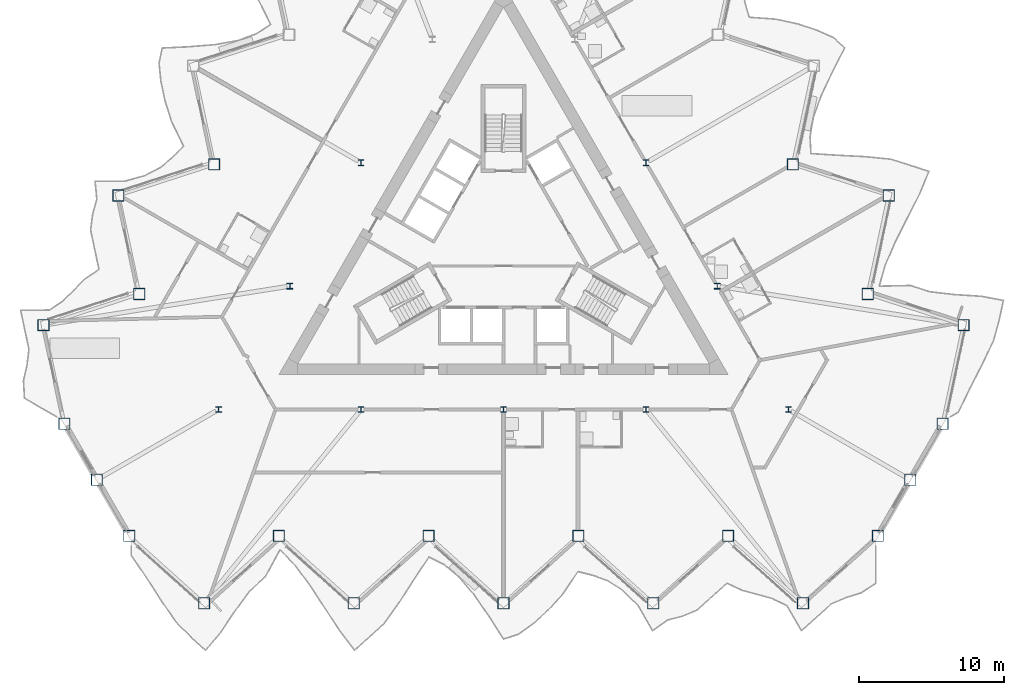
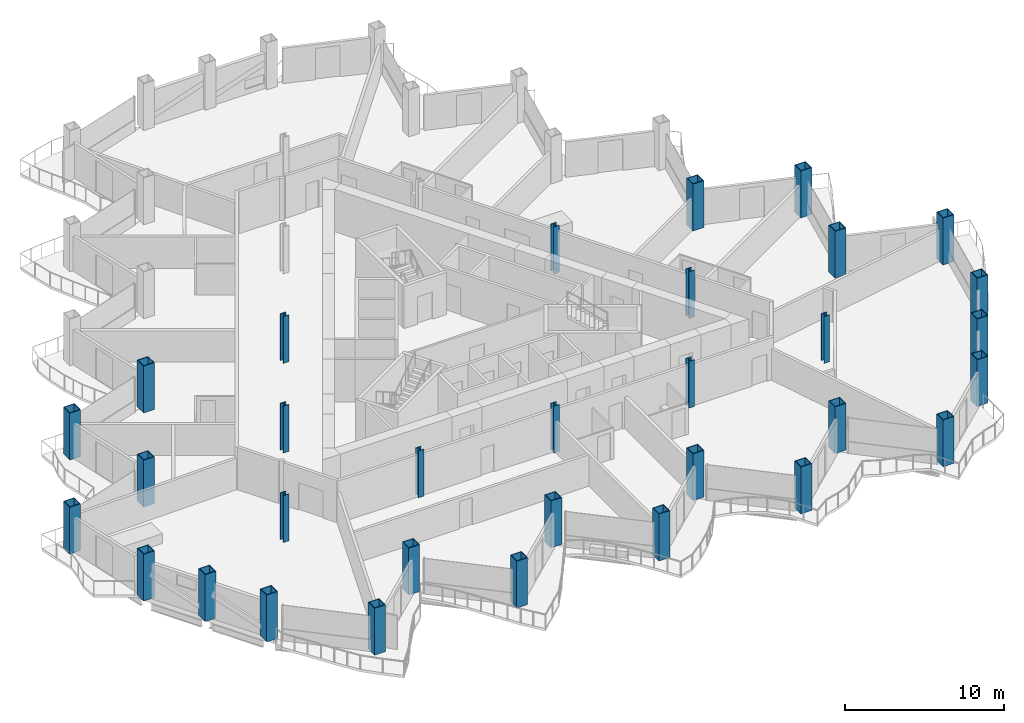
# One storey, part 1 of 22: 32 columns.
"""IFC4 building model written with IfcOpenShell, lengths in metres."""

from ifc_helpers import new_model, si_unit, direction, frame, origin, origin_2d, place, context, subcontext, project, spatial, hollow_rectangle, i_section, extrude, material, material_profile, profile_set, type_object, element, save


model = new_model("IFC4")

# Units and contexts
model_context = context("Model", 3, precision=1e-05, world=origin(), true_north=direction((0.0, 1.0)))
body_context = subcontext(model_context, "Body", "Model", "MODEL_VIEW")
ifc_project = project(units=[si_unit("LENGTHUNIT", "METRE"), si_unit("AREAUNIT", "SQUARE_METRE"), si_unit("VOLUMEUNIT", "CUBIC_METRE"), si_unit("PLANEANGLEUNIT", "RADIAN"), si_unit("MASSUNIT", "GRAM", prefix="KILO")], contexts=[model_context])

# Site, building, storey
site_placement = place(None, origin())
site = spatial("IfcSite", under=ifc_project, at=site_placement, CompositionType="ELEMENT")
building_placement = place(site_placement, origin())
building = spatial("IfcBuilding", under=site, at=building_placement, Name="Cormorant Prow Tower", CompositionType="ELEMENT")
storey_placement = place(building_placement, frame((0.0, 0.0, 190.800048828125)))
storey = spatial("IfcBuildingStorey", under=building, at=storey_placement, Name="L41", CompositionType="ELEMENT", Elevation=190.800048828125)

# Columns
ifc_material_1 = material(Name="Structural steel ASTM A572 Gr 50", Category="steel")
ifc_material_profile_1 = material_profile(ifc_material_1, hollow_rectangle(XDim=0.800048828125, YDim=0.800048828125, WallThickness=0.050048828125, at=origin_2d()), Name="Box 800x800x50")
ifc_profile_set_1 = profile_set([ifc_material_profile_1], Name="Structural steel ASTM A572 Gr 50")
column_type_1 = type_object("IfcColumnType", Name="Perimeter box column 800x800x50", PredefinedType="COLUMN", material=ifc_profile_set_1)
for number, where, z_axis, x_axis, name in (
    (1, (-25.823486328125, -20.0712890625, 0.0), (0.0, 0.0, 1.0), (1.0, 0.0, 0.0), "Perimeter column C4 at S00 L41"),
    (2, (-20.658935546875, -24.7216796875, 0.0), (0.0, 0.0, 1.0), (1.0, 0.0, 0.0), "Perimeter column C4 at S01 L41"),
    (3, (-15.494140625, -20.0712890625, 0.0), (0.0, 0.0, 1.0), (1.0, 0.0, 0.0), "Perimeter column C4 at S02 L41"),
    (4, (-10.329345703125, -24.7216796875, 0.0), (0.0, 0.0, 1.0), (1.0, 0.0, 0.0), "Perimeter column C4 at S03 L41"),
    (5, (-5.164794921875, -20.0712890625, 0.0), (0.0, 0.0, 1.0), (1.0, 0.0, 0.0), "Perimeter column C4 at S04 L41"),
    (6, (0.0, -24.7216796875, 0.0), (0.0, 0.0, 1.0), (1.0, 0.0, 0.0), "Perimeter column C4 at S05 L41"),
    (7, (5.164794921875, -20.0712890625, 0.0), (0.0, 0.0, 1.0), (1.0, 0.0, 0.0), "Perimeter column C4 at S06 L41"),
    (8, (10.329345703125, -24.7216796875, 0.0), (0.0, 0.0, 1.0), (1.0, 0.0, 0.0), "Perimeter column C4 at S07 L41"),
    (9, (15.494140625, -20.0712890625, 0.0), (0.0, 0.0, 1.0), (1.0, 0.0, 0.0), "Perimeter column C4 at S08 L41"),
    (10, (20.658935546875, -24.7216796875, 0.0), (0.0, 0.0, 1.0), (1.0, 0.0, 0.0), "Perimeter column C4 at S09 L41"),
    (11, (25.823486328125, -20.0712890625, 0.0), (0.0, 0.0, 1.0), (1.0, 0.0, 0.0), "Perimeter column C4 at ESE00 L41"),
    (12, (28.058837890625, -16.19970703125, 0.0), (0.0, 0.0, 1.0), (1.0, 0.0, 0.0), "Perimeter column C4 at ESE01 L41"),
    (13, (30.2939453125, -12.328369140625, 0.0), (0.0, 0.0, 1.0), (1.0, 0.0, 0.0), "Perimeter column C4 at ENE00 L41"),
    (14, (31.739013671875, -5.5302734375, 0.0), (0.0, 0.0, 1.0), (1.0, 0.0, 0.0), "Perimeter column C4 at ENE01 L41"),
    (15, (25.12939453125, -3.3828125, 0.0), (0.0, 0.0, 1.0), (1.0, 0.0, 0.0), "Perimeter column C4 at ENE02 L41"),
    (16, (26.57421875, 3.415283203125, 0.0), (0.0, 0.0, 1.0), (1.0, 0.0, 0.0), "Perimeter column C4 at ENE03 L41"),
    (17, (19.964599609375, 5.562744140625, 0.0), (0.0, 0.0, 1.0), (1.0, 0.0, 0.0), "Perimeter column C4 at ENE04 L41"),
    (18, (-19.964599609375, 5.562744140625, 0.0), (0.0, 0.0, 1.0), (1.0, 0.0, 0.0), "Perimeter column C4 at WNW06 L41"),
    (19, (-26.57421875, 3.415283203125, 0.0), (0.0, 0.0, 1.0), (1.0, 0.0, 0.0), "Perimeter column C4 at WNW07 L41"),
    (20, (-25.12939453125, -3.3828125, 0.0), (0.0, 0.0, 1.0), (1.0, 0.0, 0.0), "Perimeter column C4 at WNW08 L41"),
    (21, (-31.739013671875, -5.5302734375, 0.0), (0.0, 0.0, 1.0), (1.0, 0.0, 0.0), "Perimeter column C4 at WNW09 L41"),
    (22, (-30.2939453125, -12.328369140625, 0.0), (0.0, 0.0, 1.0), (1.0, 0.0, 0.0), "Perimeter column C4 at WSW00 L41"),
    (23, (-28.058837890625, -16.19970703125, 0.0), (0.0, 0.0, 1.0), (1.0, 0.0, 0.0), "Perimeter column C4 at WSW01 L41"),
):
    element("IfcColumn", number, at=place(storey_placement, frame(where, z_axis=z_axis, x_axis=x_axis)), inside=storey, type_object=column_type_1, Name=name, PredefinedType="COLUMN", context=body_context, shape_type="SweptSolid", body=[
        extrude(hollow_rectangle(XDim=0.800048828125, YDim=0.800048828125, WallThickness=0.050048828125, at=origin_2d()), origin(), (0.0, 0.0, 1.0), 3.599853515625),
    ])
ifc_material_2 = material(Name="Structural steel ASTM A992 Gr 50", Category="steel")
ifc_material_profile_2 = material_profile(ifc_material_2, i_section(OverallWidth=0.403564453125, OverallDepth=0.407470703125, WebThickness=0.027099609375, FlangeThickness=0.043701171875, at=origin_2d()), Name="W14x233")
ifc_profile_set_2 = profile_set([ifc_material_profile_2], Name="Structural steel ASTM A992 Gr 50")
column_type_2 = type_object("IfcColumnType", Name="Ring column W14x233", PredefinedType="COLUMN", material=ifc_profile_set_2)
for number, where, z_axis, x_axis, name in (
    (24, (-9.828369140625, 5.674560546875, 0.0), (0.0, 0.0, 1.0), (1.0, 0.0, 0.0), "Ring column 3 L41"),
    (25, (-14.74267578125, -2.837158203125, 0.0), (0.0, 0.0, 1.0), (1.0, 0.0, 0.0), "Ring column 4 L41"),
    (26, (-19.656982421875, -11.348876953125, 0.0), (0.0, 0.0, 1.0), (1.0, 0.0, 0.0), "Ring column 5 L41"),
    (27, (-9.828369140625, -11.348876953125, 0.0), (0.0, 0.0, 1.0), (1.0, 0.0, 0.0), "Ring column 6 L41"),
    (28, (0.0, -11.348876953125, 0.0), (0.0, 0.0, 1.0), (1.0, 0.0, 0.0), "Ring column 7 L41"),
    (29, (9.828369140625, -11.348876953125, 0.0), (0.0, 0.0, 1.0), (1.0, 0.0, 0.0), "Ring column 8 L41"),
    (30, (19.656982421875, -11.348876953125, 0.0), (0.0, 0.0, 1.0), (1.0, 0.0, 0.0), "Ring column 9 L41"),
    (31, (14.74267578125, -2.837158203125, 0.0), (0.0, 0.0, 1.0), (1.0, 0.0, 0.0), "Ring column 10 L41"),
    (32, (9.828369140625, 5.674560546875, 0.0), (0.0, 0.0, 1.0), (1.0, 0.0, 0.0), "Ring column 11 L41"),
):
    element("IfcColumn", number, at=place(storey_placement, frame(where, z_axis=z_axis, x_axis=x_axis)), inside=storey, type_object=column_type_2, Name=name, PredefinedType="COLUMN", context=body_context, shape_type="SweptSolid", body=[
        extrude(i_section(OverallWidth=0.403564453125, OverallDepth=0.407470703125, WebThickness=0.027099609375, FlangeThickness=0.043701171875, at=origin_2d()), origin(), (0.0, 0.0, 1.0), 3.599853515625),
    ])

save(model, "model.ifc")
